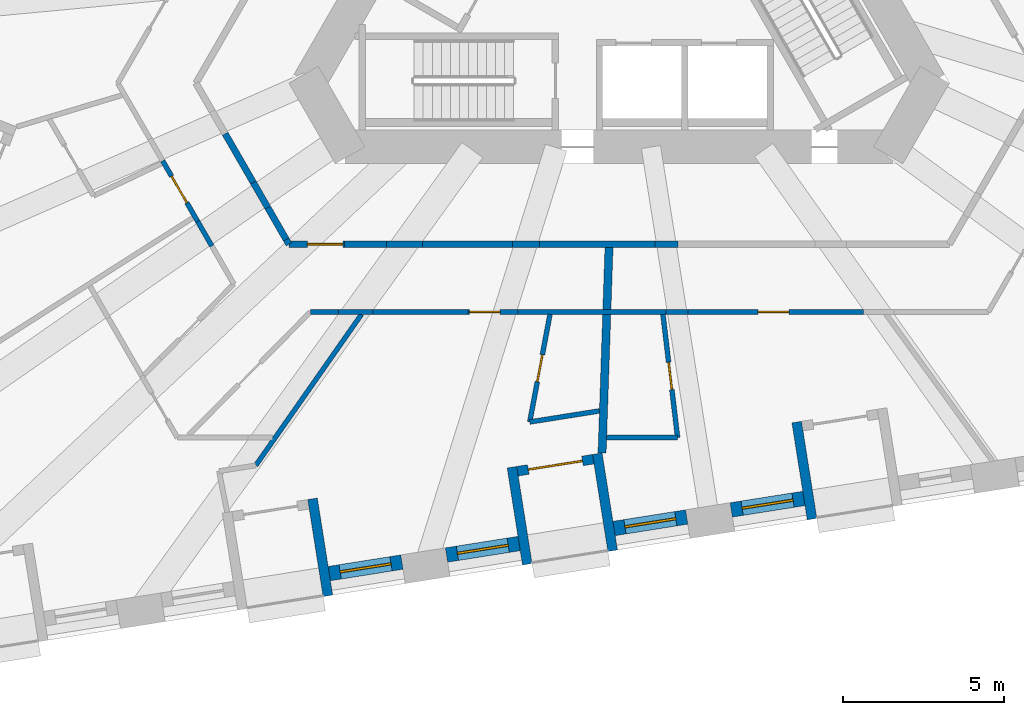
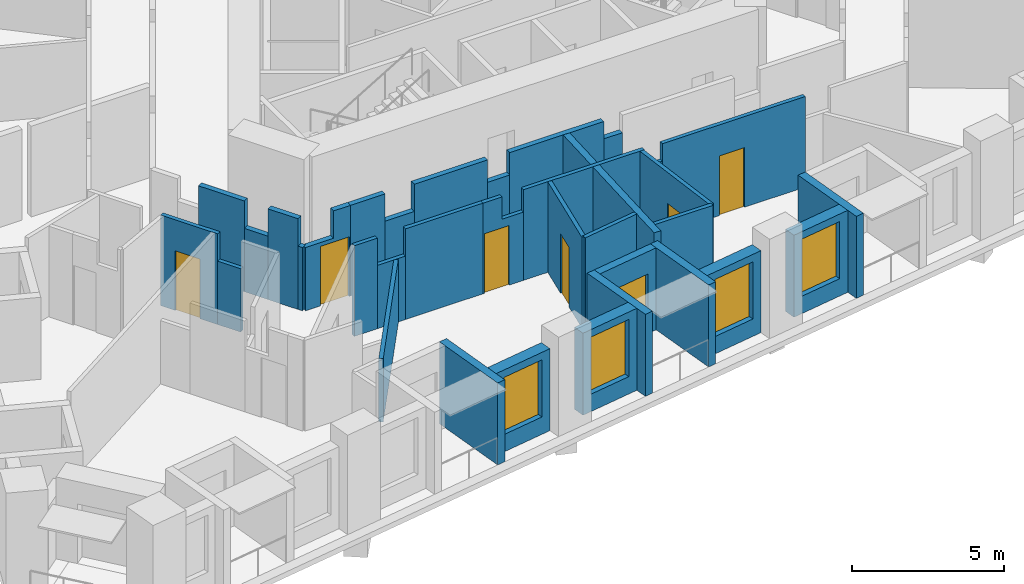
# One storey, part 3 of 14: 35 walls, 7 doors, 4 windows, 11 openings.
"""IFC4 building model written with IfcOpenShell, lengths in metres."""

from ifc_helpers import new_model, si_unit, direction, frame, frame_2d, origin, place, context, subcontext, project, spatial, polyline, rectangle, outline, extrude, material, layer, layer_set, type_object, element, fill, save


model = new_model("IFC4")

# Units and contexts
model_context = context("Model", 3, precision=1e-05, world=origin(), true_north=direction((0.0, 1.0)))
body_context = subcontext(model_context, "Body", "Model", "MODEL_VIEW")
ifc_project = project(units=[si_unit("LENGTHUNIT", "METRE"), si_unit("AREAUNIT", "SQUARE_METRE"), si_unit("VOLUMEUNIT", "CUBIC_METRE"), si_unit("PLANEANGLEUNIT", "RADIAN"), si_unit("MASSUNIT", "GRAM", prefix="KILO")], contexts=[model_context])

# Site, building, storey
site_placement = place(None, origin())
site = spatial("IfcSite", under=ifc_project, at=site_placement, CompositionType="ELEMENT")
building_placement = place(site_placement, origin())
building = spatial("IfcBuilding", under=site, at=building_placement, Name="Tramontana Tower", CompositionType="ELEMENT")
storey_placement = place(building_placement, frame((0.0, 0.0, 67.199951171875)))
storey = spatial("IfcBuildingStorey", under=building, at=storey_placement, Name="L14", CompositionType="ELEMENT", Elevation=67.199951171875)

# Walls
ifc_material_1 = material(Name="Blockwork", Category="masonry")
ifc_layer_1 = layer(ifc_material_1, 0.199951171875)
ifc_layer_set_1 = layer_set([ifc_layer_1], Name="ENTRY WALL 200")
wall_type_1 = type_object("IfcWallType", Name="ENTRY WALL 200", PredefinedType="SOLIDWALL", material=ifc_layer_set_1)
wall_1_placement = place(storey_placement, frame((1.8193359375, -9.25, 0.0), z_axis=(0.0, 0.0, 1.0), x_axis=(-1.0, 0.0, 0.0)))
element("IfcWall", 1, at=wall_1_placement, inside=storey, type_object=wall_type_1, Name="Wall v11-ew2-3", PredefinedType="SOLIDWALL", context=body_context, shape_type="SweptSolid", body=[
    extrude(rectangle(XDim=0.708740234375, YDim=0.199951171875, at=frame_2d((0.3544921875, 0.0))), origin(), (0.0, 0.0, 1.0), 2.949951171875),
])
wall_2_placement = place(storey_placement, frame((1.110595703125, -9.25, 0.0), z_axis=(0.0, 0.0, 1.0), x_axis=(-1.0, 0.0, 0.0)))
element("IfcWall", 2, at=wall_2_placement, inside=storey, type_object=wall_type_1, Name="Wall v11-ew2-4", PredefinedType="SOLIDWALL", context=body_context, shape_type="SweptSolid", body=[
    extrude(rectangle(XDim=3.585205078125, YDim=0.199951171875, at=frame_2d((1.79248046875, 0.0))), origin(), (0.0, 0.0, 1.0), 3.650146484375),
])
wall_3_placement = place(storey_placement, frame((-2.474609375, -9.25, 0.0), z_axis=(0.0, 0.0, 1.0), x_axis=(-1.0, 0.0, 0.0)))
element("IfcWall", 3, at=wall_3_placement, inside=storey, type_object=wall_type_1, Name="Wall v11-ew2-5", PredefinedType="SOLIDWALL", context=body_context, shape_type="SweptSolid", body=[
    extrude(rectangle(XDim=0.838134765625, YDim=0.199951171875, at=frame_2d((0.4189453125, 0.0))), origin(), (0.0, 0.0, 1.0), 2.75),
])
wall_4_placement = place(storey_placement, frame((-3.312744140625, -9.25, 0.0), z_axis=(0.0, 0.0, 1.0), x_axis=(-1.0, 0.0, 0.0)))
element("IfcWall", 4, at=wall_4_placement, inside=storey, type_object=wall_type_1, Name="Wall v11-ew2-6", PredefinedType="SOLIDWALL", context=body_context, shape_type="SweptSolid", body=[
    extrude(rectangle(XDim=2.793701171875, YDim=0.199951171875, at=frame_2d((1.39697265625, 0.0))), origin(), (0.0, 0.0, 1.0), 3.650146484375),
])
wall_5_placement = place(storey_placement, frame((-6.1064453125, -9.25, 0.0), z_axis=(0.0, 0.0, 1.0), x_axis=(-1.0, 0.0, 0.0)))
element("IfcWall", 5, at=wall_5_placement, inside=storey, type_object=wall_type_1, Name="Wall v11-ew2-7", PredefinedType="SOLIDWALL", context=body_context, shape_type="SweptSolid", body=[
    extrude(rectangle(XDim=1.10888671875, YDim=0.199951171875, at=frame_2d((0.554443359375, 0.0))), origin(), (0.0, 0.0, 1.0), 2.550048828125),
])
wall_6_placement = place(storey_placement, frame((-7.21533203125, -9.25, 0.0), z_axis=(0.0, 0.0, 1.0), x_axis=(-1.0, 0.0, 0.0)))
element("IfcWall", 6, at=wall_6_placement, inside=storey, type_object=wall_type_1, Name="Wall v11-ew2-8", PredefinedType="SOLIDWALL", context=body_context, shape_type="SweptSolid", body=[
    extrude(rectangle(XDim=1.3125, YDim=0.199951171875, at=frame_2d((0.65625, 0.0))), origin(), (0.0, 0.0, 1.0), 3.650146484375),
])

# Wall, opening, door
wall_7_placement = place(storey_placement, frame((-10.248046875, -9.25, 0.0), z_axis=(0.0, 0.0, 1.0), x_axis=(1.0, 0.0, 0.0)))
wall_7 = element("IfcWall", 7, at=wall_7_placement, inside=storey, type_object=wall_type_1, Name="Wall v11-ew2-9", PredefinedType="SOLIDWALL", context=body_context, shape_type="SweptSolid", body=[
    extrude(outline(polyline([(0.0, 0.0), (1.72021484375, 0.0), (1.72021484375, 3.650146484375), (1.0703125, 3.650146484375), (1.0703125, 2.550048828125), (0.0, 2.550048828125), (0.0, 0.0)])), frame((0.0, 0.10009765625, 0.0), z_axis=(0.0, -1.0, 0.0), x_axis=(1.0, 0.0, 0.0)), (0.0, 0.0, 1.0), 0.199951171875),
])
opening_1_placement = place(wall_7_placement, frame((0.570068359375, 0.0, 0.0)))
opening_1 = element("IfcOpeningElement", 8, at=opening_1_placement, cuts=wall_7, Name="Opening B1B-30", PredefinedType="OPENING", context=body_context, shape_type="SweptSolid", body=[
    extrude(rectangle(XDim=1.10009765625, YDim=2.39990234375, at=frame_2d((0.550048828125, 1.199951171875))), frame((0.0, 0.10986328125, 0.0), z_axis=(0.0, -1.0, 0.0), x_axis=(1.0, 0.0, 0.0)), (0.0, 0.0, 1.0), 0.219970703125),
])
ifc_material_2 = material(Name="Painted timber", Category="wood")
door_type_1 = type_object("IfcDoorType", Name="DOOR ENTRY 1100", OperationType="SINGLE_SWING_LEFT", PredefinedType="DOOR", material=ifc_material_2)
door_1_placement = place(opening_1_placement, origin())
door_1 = element("IfcDoor", 9, at=door_1_placement, inside=storey, type_object=door_type_1, Name="Door B1B-30", OperationType="SINGLE_SWING_RIGHT", OverallHeight=2.39990234375, OverallWidth=1.10009765625, PredefinedType="DOOR", context=body_context, shape_type="SweptSolid", body=[
    extrude(rectangle(XDim=1.10009765625, YDim=2.39990234375, at=frame_2d((0.550048828125, 1.199951171875))), frame((0.0, 0.02490234375, 0.0), z_axis=(0.0, -1.0, 0.0), x_axis=(1.0, 0.0, 0.0)), (0.0, 0.0, 1.0), 0.050048828125),
])
fill(opening_1, door_1)

# Walls
wall_8_placement = place(storey_placement, frame((-10.248046875, -9.25, 0.0), z_axis=(0.0, 0.0, 1.0), x_axis=(-0.499516518495, 0.866304362075, 0.0)))
element("IfcWall", 10, at=wall_8_placement, inside=storey, type_object=wall_type_1, Name="Wall v11-ew3-0", PredefinedType="SOLIDWALL", context=body_context, shape_type="SweptSolid", body=[
    extrude(rectangle(XDim=0.171142578125, YDim=0.199951171875, at=frame_2d((0.08544921875, 0.0))), origin(), (0.0, 0.0, 1.0), 2.550048828125),
])
wall_9_placement = place(storey_placement, frame((-10.33349609375, -9.101806640625, 0.0), z_axis=(0.0, 0.0, 1.0), x_axis=(-0.500049527193, 0.865996807358, 0.0)))
element("IfcWall", 11, at=wall_9_placement, inside=storey, type_object=wall_type_1, Name="Wall v11-ew3-1", PredefinedType="SOLIDWALL", context=body_context, shape_type="SweptSolid", body=[
    extrude(rectangle(XDim=1.1416015625, YDim=0.199951171875, at=frame_2d((0.57080078125, 0.0))), origin(), (0.0, 0.0, 1.0), 3.650146484375),
])
wall_10_placement = place(storey_placement, frame((-10.904296875, -8.11328125, 0.0), z_axis=(0.0, 0.0, 1.0), x_axis=(-0.499948710669, 0.866055013668, 0.0)))
element("IfcWall", 12, at=wall_10_placement, inside=storey, type_object=wall_type_1, Name="Wall v11-ew3-2", PredefinedType="SOLIDWALL", context=body_context, shape_type="SweptSolid", body=[
    extrude(rectangle(XDim=0.90283203125, YDim=0.199951171875, at=frame_2d((0.451416015625, 0.0))), origin(), (0.0, 0.0, 1.0), 2.550048828125),
])
wall_11_placement = place(storey_placement, frame((-11.355712890625, -7.331298828125, 0.0), z_axis=(0.0, 0.0, 1.0), x_axis=(-0.50000494408, 0.866022549299, 0.0)))
element("IfcWall", 13, at=wall_11_placement, inside=storey, type_object=wall_type_1, Name="Wall v11-ew3-3", PredefinedType="SOLIDWALL", context=body_context, shape_type="SweptSolid", body=[
    extrude(rectangle(XDim=1.74560546875, YDim=0.199951171875, at=frame_2d((0.872802734375, 0.0))), origin(), (0.0, 0.0, 1.0), 3.650146484375),
])

# Wall, opening, window
ifc_material_3 = material(Name="Precast concrete 60 MPa", Category="concrete")
ifc_layer_2 = layer(ifc_material_3, 0.449951171875)
ifc_layer_set_2 = layer_set([ifc_layer_2], Name="Precast concrete 60 MPa, 450 mm")
wall_type_2 = type_object("IfcWallType", Name="EW1 Stone-faced precast wall 450", PredefinedType="SOLIDWALL", material=ifc_layer_set_2)
wall_12_placement = place(storey_placement, frame((-8.99658203125, -19.47216796875, 0.0), z_axis=(0.0, 0.0, 1.0), x_axis=(0.987685675151, 0.156451293065, 0.0)))
wall_12 = element("IfcWall", 14, at=wall_12_placement, inside=storey, type_object=wall_type_2, Name="External wall L14 face 1 bay 2", PredefinedType="SOLIDWALL", context=body_context, shape_type="SweptSolid", body=[
    extrude(rectangle(XDim=2.282958984375, YDim=0.449951171875, at=frame_2d((1.1416015625, 0.0))), origin(), (0.0, 0.0, 1.0), 3.300048828125),
])
opening_2_placement = place(wall_12_placement, frame((0.341552734375, 0.0, 0.699951171875)))
opening_2 = element("IfcOpeningElement", 15, at=opening_2_placement, cuts=wall_12, Name="Opening M1", PredefinedType="OPENING", context=body_context, shape_type="SweptSolid", body=[
    extrude(rectangle(XDim=1.60009765625, YDim=2.300048828125, at=frame_2d((0.800048828125, 1.14990234375))), frame((0.0, 0.23486328125, 0.0), z_axis=(0.0, -1.0, 0.0), x_axis=(1.0, 0.0, 0.0)), (0.0, 0.0, 1.0), 0.469970703125),
])
ifc_material_4 = material(Name="Aluminum frame, double glazing unit", Category="aluminium")
window_type = type_object("IfcWindowType", Name="M1 Window 1.6 x 2.3", PartitioningType="SINGLE_PANEL", PredefinedType="WINDOW", material=ifc_material_4)
window_1_placement = place(opening_2_placement, origin())
window_1 = element("IfcWindow", 16, at=window_1_placement, inside=storey, type_object=window_type, Name="Window M1 L14 face 1 module 6", OverallHeight=2.300048828125, OverallWidth=1.60009765625, PartitioningType="SINGLE_PANEL", PredefinedType="WINDOW", context=body_context, shape_type="SweptSolid", body=[
    extrude(rectangle(XDim=1.60009765625, YDim=2.300048828125, at=frame_2d((0.800048828125, 1.14990234375))), frame((0.0, 0.030029296875, 0.0), z_axis=(0.0, -1.0, 0.0), x_axis=(1.0, 0.0, 0.0)), (0.0, 0.0, 1.0), 0.06005859375),
])
fill(opening_2, window_1)

wall_13_placement = place(storey_placement, frame((-5.35888671875, -18.89599609375, 0.0), z_axis=(0.0, 0.0, 1.0), x_axis=(0.987685675151, 0.156451293065, 0.0)))
wall_13 = element("IfcWall", 17, at=wall_13_placement, inside=storey, type_object=wall_type_2, Name="External wall L14 face 1 bay 3", PredefinedType="SOLIDWALL", context=body_context, shape_type="SweptSolid", body=[
    extrude(rectangle(XDim=2.282958984375, YDim=0.449951171875, at=frame_2d((1.1416015625, 0.0))), origin(), (0.0, 0.0, 1.0), 3.300048828125),
])
opening_3_placement = place(wall_13_placement, frame((0.341552734375, 0.0, 0.699951171875)))
opening_3 = element("IfcOpeningElement", 18, at=opening_3_placement, cuts=wall_13, Name="Opening M1", PredefinedType="OPENING", context=body_context, shape_type="SweptSolid", body=[
    extrude(rectangle(XDim=1.60009765625, YDim=2.300048828125, at=frame_2d((0.800048828125, 1.14990234375))), frame((0.0, 0.23486328125, 0.0), z_axis=(0.0, -1.0, 0.0), x_axis=(1.0, 0.0, 0.0)), (0.0, 0.0, 1.0), 0.469970703125),
])
window_2_placement = place(opening_3_placement, origin())
window_2 = element("IfcWindow", 19, at=window_2_placement, inside=storey, type_object=window_type, Name="Window M1 L14 face 1 module 7", OverallHeight=2.300048828125, OverallWidth=1.60009765625, PartitioningType="SINGLE_PANEL", PredefinedType="WINDOW", context=body_context, shape_type="SweptSolid", body=[
    extrude(rectangle(XDim=1.60009765625, YDim=2.300048828125, at=frame_2d((0.800048828125, 1.14990234375))), frame((0.0, 0.030029296875, 0.0), z_axis=(0.0, -1.0, 0.0), x_axis=(1.0, 0.0, 0.0)), (0.0, 0.0, 1.0), 0.06005859375),
])
fill(opening_3, window_2)

wall_14_placement = place(storey_placement, frame((-0.15771484375, -18.072265625, 0.0), z_axis=(0.0, 0.0, 1.0), x_axis=(0.987685675151, 0.156451293065, 0.0)))
wall_14 = element("IfcWall", 20, at=wall_14_placement, inside=storey, type_object=wall_type_2, Name="External wall L14 face 1 bay 3", PredefinedType="SOLIDWALL", context=body_context, shape_type="SweptSolid", body=[
    extrude(rectangle(XDim=2.282958984375, YDim=0.449951171875, at=frame_2d((1.1416015625, 0.0))), origin(), (0.0, 0.0, 1.0), 3.300048828125),
])
opening_4_placement = place(wall_14_placement, frame((0.341552734375, 0.0, 0.699951171875)))
opening_4 = element("IfcOpeningElement", 21, at=opening_4_placement, cuts=wall_14, Name="Opening M1", PredefinedType="OPENING", context=body_context, shape_type="SweptSolid", body=[
    extrude(rectangle(XDim=1.60009765625, YDim=2.300048828125, at=frame_2d((0.800048828125, 1.14990234375))), frame((0.0, 0.23486328125, 0.0), z_axis=(0.0, -1.0, 0.0), x_axis=(1.0, 0.0, 0.0)), (0.0, 0.0, 1.0), 0.469970703125),
])
window_3_placement = place(opening_4_placement, origin())
window_3 = element("IfcWindow", 22, at=window_3_placement, inside=storey, type_object=window_type, Name="Window M1 L14 face 1 module 9", OverallHeight=2.300048828125, OverallWidth=1.60009765625, PartitioningType="SINGLE_PANEL", PredefinedType="WINDOW", context=body_context, shape_type="SweptSolid", body=[
    extrude(rectangle(XDim=1.60009765625, YDim=2.300048828125, at=frame_2d((0.800048828125, 1.14990234375))), frame((0.0, 0.030029296875, 0.0), z_axis=(0.0, -1.0, 0.0), x_axis=(1.0, 0.0, 0.0)), (0.0, 0.0, 1.0), 0.06005859375),
])
fill(opening_4, window_3)

wall_15_placement = place(storey_placement, frame((3.479736328125, -17.49609375, 0.0), z_axis=(0.0, 0.0, 1.0), x_axis=(0.987685675151, 0.156451293065, 0.0)))
wall_15 = element("IfcWall", 23, at=wall_15_placement, inside=storey, type_object=wall_type_2, Name="External wall L14 face 1 bay 4", PredefinedType="SOLIDWALL", context=body_context, shape_type="SweptSolid", body=[
    extrude(rectangle(XDim=2.282958984375, YDim=0.449951171875, at=frame_2d((1.1416015625, 0.0))), origin(), (0.0, 0.0, 1.0), 3.300048828125),
])
opening_5_placement = place(wall_15_placement, frame((0.341552734375, 0.0, 0.699951171875)))
opening_5 = element("IfcOpeningElement", 24, at=opening_5_placement, cuts=wall_15, Name="Opening M1", PredefinedType="OPENING", context=body_context, shape_type="SweptSolid", body=[
    extrude(rectangle(XDim=1.60009765625, YDim=2.300048828125, at=frame_2d((0.800048828125, 1.14990234375))), frame((0.0, 0.23486328125, 0.0), z_axis=(0.0, -1.0, 0.0), x_axis=(1.0, 0.0, 0.0)), (0.0, 0.0, 1.0), 0.469970703125),
])
window_4_placement = place(opening_5_placement, origin())
window_4 = element("IfcWindow", 25, at=window_4_placement, inside=storey, type_object=window_type, Name="Window M1 L14 face 1 module 10", OverallHeight=2.300048828125, OverallWidth=1.60009765625, PartitioningType="SINGLE_PANEL", PredefinedType="WINDOW", context=body_context, shape_type="SweptSolid", body=[
    extrude(rectangle(XDim=1.60009765625, YDim=2.300048828125, at=frame_2d((0.800048828125, 1.14990234375))), frame((0.0, 0.030029296875, 0.0), z_axis=(0.0, -1.0, 0.0), x_axis=(1.0, 0.0, 0.0)), (0.0, 0.0, 1.0), 0.06005859375),
])
fill(opening_5, window_4)

# Wall
ifc_material_5 = material(Name="Precast concrete 60 MPa", Category="concrete")
ifc_layer_3 = layer(ifc_material_5, 0.300048828125)
ifc_layer_set_3 = layer_set([ifc_layer_3], Name="LW1 Stone-faced loggia wall 300")
wall_type_3 = type_object("IfcWallType", Name="LW1 Stone-faced loggia wall 300", PredefinedType="SOLIDWALL", material=ifc_layer_set_3)
wall_16_placement = place(storey_placement, frame((-9.0390625, -20.162353515625, 0.0), z_axis=(0.0, 0.0, 1.0), x_axis=(-0.156488687365, 0.987679751097, 0.0)))
element("IfcWall", 26, at=wall_16_placement, inside=storey, type_object=wall_type_3, Name="Loggia return L14 G1S1.4b", PredefinedType="SOLIDWALL", context=body_context, shape_type="SweptSolid", body=[
    extrude(rectangle(XDim=3.050048828125, YDim=0.300048828125, at=frame_2d((1.52490234375, 0.0))), origin(), (0.0, 0.0, 1.0), 3.300048828125),
])

# Wall, opening, door
wall_17_placement = place(storey_placement, frame((-3.15576171875, -16.294189453125, 0.0), z_axis=(0.0, 0.0, 1.0), x_axis=(0.987685586014, 0.156451855793, 0.0)))
wall_17 = element("IfcWall", 27, at=wall_17_placement, inside=storey, type_object=wall_type_3, Name="Loggia wall L14 G1S1.7", PredefinedType="SOLIDWALL", context=body_context, shape_type="SweptSolid", body=[
    extrude(rectangle(XDim=2.3828125, YDim=0.300048828125, at=frame_2d((1.19140625, 0.0))), origin(), (0.0, 0.0, 1.0), 3.300048828125),
])
opening_6_placement = place(wall_17_placement, frame((0.341552734375, 0.0, 0.0)))
opening_6 = element("IfcOpeningElement", 28, at=opening_6_placement, cuts=wall_17, Name="Opening BD-1S1-07", PredefinedType="OPENING", context=body_context, shape_type="SweptSolid", body=[
    extrude(rectangle(XDim=1.699951171875, YDim=2.39990234375, at=frame_2d((0.85009765625, 1.199951171875))), frame((0.0, 0.159912109375, 0.0), z_axis=(0.0, -1.0, 0.0), x_axis=(1.0, 0.0, 0.0)), (0.0, 0.0, 1.0), 0.320068359375),
])
ifc_material_6 = material(Name="Aluminum frame, double glazing unit", Category="aluminium")
door_type_2 = type_object("IfcDoorType", Name="BD1 Sliding door 1.7 x 2.4", OperationType="SLIDING_TO_LEFT", PredefinedType="DOOR", material=ifc_material_6)
door_2_placement = place(opening_6_placement, origin())
door_2 = element("IfcDoor", 29, at=door_2_placement, inside=storey, type_object=door_type_2, Name="Loggia door L14 G1S1.7", OperationType="SLIDING_TO_LEFT", OverallHeight=2.39990234375, OverallWidth=1.699951171875, PredefinedType="DOOR", context=body_context, shape_type="SweptSolid", body=[
    extrude(rectangle(XDim=1.699951171875, YDim=2.39990234375, at=frame_2d((0.85009765625, 1.199951171875))), frame((0.0, 0.02490234375, 0.0), z_axis=(0.0, -1.0, 0.0), x_axis=(1.0, 0.0, 0.0)), (0.0, 0.0, 1.0), 0.050048828125),
])
fill(opening_6, door_2)

# Walls
for number, where, z_axis, x_axis, name in (
    (30, (-2.850341796875, -19.18212890625, 0.0), (0.0, 0.0, 1.0), (-0.156410600741, 0.987692120033, 0.0), "Loggia return L14 G1S1.7a"),
    (31, (-0.200439453125, -18.762451171875, 0.0), (0.0, 0.0, 1.0), (-0.156410600741, 0.987692120033, 0.0), "Loggia return L14 G1S1.7b"),
    (32, (5.988525390625, -17.7822265625, 0.0), (0.0, 0.0, 1.0), (-0.156488687365, 0.987679751097, 0.0), "Loggia return L14 G1S1.10a"),
):
    element("IfcWall", number, at=place(storey_placement, frame(where, z_axis=z_axis, x_axis=x_axis)), inside=storey, type_object=wall_type_3, Name=name, PredefinedType="SOLIDWALL", context=body_context, shape_type="SweptSolid", body=[
        extrude(rectangle(XDim=3.050048828125, YDim=0.300048828125, at=frame_2d((1.52490234375, 0.0))), origin(), (0.0, 0.0, 1.0), 3.300048828125),
    ])
ifc_material_7 = material(Name="Gypsum board partition")
ifc_layer_4 = layer(ifc_material_7, 0.14990234375)
ifc_layer_set_4 = layer_set([ifc_layer_4], Name="PARTITION 150")
wall_type_4 = type_object("IfcWallType", Name="PARTITION 150", PredefinedType="PARTITIONING", material=ifc_layer_set_4)
wall_18_placement = place(storey_placement, frame((-12.641845703125, -9.3037109375, 0.0), z_axis=(0.0, 0.0, 1.0), x_axis=(-0.500027377864, 0.86600959659, 0.0)))
element("IfcWall", 33, at=wall_18_placement, inside=storey, type_object=wall_type_4, Name="Wall v11-pw11-1", PredefinedType="PARTITIONING", context=body_context, shape_type="SweptSolid", body=[
    extrude(rectangle(XDim=0.8779296875, YDim=0.14990234375, at=frame_2d((0.43896484375, 0.0))), origin(), (0.0, 0.0, 1.0), 2.550048828125),
])

# Wall, opening, door
wall_19_placement = place(storey_placement, frame((-13.080810546875, -8.54345703125, 0.0), z_axis=(0.0, 0.0, 1.0), x_axis=(-0.499978335414, 0.866037911478, 0.0)))
wall_19 = element("IfcWall", 34, at=wall_19_placement, inside=storey, type_object=wall_type_4, Name="Wall v11-pw11-2", PredefinedType="PARTITIONING", context=body_context, shape_type="SweptSolid", body=[
    extrude(rectangle(XDim=2.1748046875, YDim=0.14990234375, at=frame_2d((1.08740234375, 0.0))), origin(), (0.0, 0.0, 1.0), 3.650146484375),
])
opening_7_placement = place(wall_19_placement, frame((0.671142578125, 0.0, 0.0)))
opening_7 = element("IfcOpeningElement", 35, at=opening_7_placement, cuts=wall_19, Name="Opening B1B-15", PredefinedType="OPENING", context=body_context, shape_type="SweptSolid", body=[
    extrude(rectangle(XDim=0.949951171875, YDim=2.39990234375, at=frame_2d((0.47509765625, 1.199951171875))), frame((0.0, 0.0849609375, 0.0), z_axis=(0.0, -1.0, 0.0), x_axis=(1.0, 0.0, 0.0)), (0.0, 0.0, 1.0), 0.169921875),
])
ifc_material_8 = material(Name="Painted timber", Category="wood")
door_type_3 = type_object("IfcDoorType", Name="DOOR ROOM 950", OperationType="SINGLE_SWING_LEFT", PredefinedType="DOOR", material=ifc_material_8)
door_3_placement = place(opening_7_placement, origin())
door_3 = element("IfcDoor", 36, at=door_3_placement, inside=storey, type_object=door_type_3, Name="Door B1B-15", OperationType="SINGLE_SWING_LEFT", OverallHeight=2.39990234375, OverallWidth=0.949951171875, PredefinedType="DOOR", context=body_context, shape_type="SweptSolid", body=[
    extrude(rectangle(XDim=0.949951171875, YDim=2.39990234375, at=frame_2d((0.47509765625, 1.199951171875))), frame((0.0, 0.02490234375, 0.0), z_axis=(0.0, -1.0, 0.0), x_axis=(1.0, 0.0, 0.0)), (0.0, 0.0, 1.0), 0.050048828125),
])
fill(opening_7, door_3)

# Wall
wall_20_placement = place(storey_placement, frame((-7.9970703125, -11.425048828125, 0.0), z_axis=(0.0, 0.0, 1.0), x_axis=(-0.573453752882, -0.819237934489, 0.0)))
element("IfcWall", 37, at=wall_20_placement, inside=storey, type_object=wall_type_4, Name="Wall v11-pw23-0", PredefinedType="PARTITIONING", context=body_context, shape_type="SweptSolid", body=[
    extrude(rectangle(XDim=5.721435546875, YDim=0.14990234375, at=frame_2d((2.86083984375, 0.0))), origin(), (0.0, 0.0, 1.0), 2.550048828125),
])

# Wall, opening, door
wall_21_placement = place(storey_placement, frame((-2.146728515625, -11.425048828125, 0.0), z_axis=(0.0, 0.0, 1.0), x_axis=(-0.184665813639, -0.982801372238, 0.0)))
wall_21 = element("IfcWall", 38, at=wall_21_placement, inside=storey, type_object=wall_type_4, Name="Wall v11-pw29", PredefinedType="PARTITIONING", context=body_context, shape_type="SweptSolid", body=[
    extrude(rectangle(XDim=3.39892578125, YDim=0.14990234375, at=frame_2d((1.699462890625, 0.0))), origin(), (0.0, 0.0, 1.0), 3.650146484375),
])
opening_8_placement = place(wall_21_placement, frame((1.2744140625, 0.0, 0.0)))
opening_8 = element("IfcOpeningElement", 39, at=opening_8_placement, cuts=wall_21, Name="Opening B1B-19", PredefinedType="OPENING", context=body_context, shape_type="SweptSolid", body=[
    extrude(rectangle(XDim=0.85009765625, YDim=2.39990234375, at=frame_2d((0.425048828125, 1.199951171875))), frame((0.0, 0.0849609375, 0.0), z_axis=(0.0, -1.0, 0.0), x_axis=(1.0, 0.0, 0.0)), (0.0, 0.0, 1.0), 0.169921875),
])
ifc_material_9 = material(Name="Painted timber", Category="wood")
door_type_4 = type_object("IfcDoorType", Name="DOOR BATH 850", OperationType="SINGLE_SWING_LEFT", PredefinedType="DOOR", material=ifc_material_9)
door_4_placement = place(opening_8_placement, origin())
door_4 = element("IfcDoor", 40, at=door_4_placement, inside=storey, type_object=door_type_4, Name="Door B1B-19", OperationType="SINGLE_SWING_LEFT", OverallHeight=2.39990234375, OverallWidth=0.85009765625, PredefinedType="DOOR", context=body_context, shape_type="SweptSolid", body=[
    extrude(rectangle(XDim=0.85009765625, YDim=2.39990234375, at=frame_2d((0.425048828125, 1.199951171875))), frame((0.0, 0.02490234375, 0.0), z_axis=(0.0, -1.0, 0.0), x_axis=(1.0, 0.0, 0.0)), (0.0, 0.0, 1.0), 0.050048828125),
])
fill(opening_8, door_4)

# Wall
wall_22_placement = place(storey_placement, frame((-0.610595703125, -14.4228515625, 0.0), z_axis=(0.0, 0.0, 1.0), x_axis=(-0.987684230158, -0.156460415112, 0.0)))
element("IfcWall", 41, at=wall_22_placement, inside=storey, type_object=wall_type_4, Name="Wall v11-pw30", PredefinedType="PARTITIONING", context=body_context, shape_type="SweptSolid", body=[
    extrude(rectangle(XDim=2.19091796875, YDim=0.14990234375, at=frame_2d((1.095458984375, 0.0))), origin(), (0.0, 0.0, 1.0), 3.650146484375),
])

# Wall, opening, door
wall_23_placement = place(storey_placement, frame((1.814697265625, -15.25, 0.0), z_axis=(0.0, 0.0, 1.0), x_axis=(-0.118142953824, 0.992996597407, 0.0)))
wall_23 = element("IfcWall", 42, at=wall_23_placement, inside=storey, type_object=wall_type_4, Name="Wall v11-pw33", PredefinedType="PARTITIONING", context=body_context, shape_type="SweptSolid", body=[
    extrude(rectangle(XDim=3.851806640625, YDim=0.14990234375, at=frame_2d((1.92578125, 0.0))), origin(), (0.0, 0.0, 1.0), 3.650146484375),
])
opening_9_placement = place(wall_23_placement, frame((1.5009765625, 0.0, 0.0)))
opening_9 = element("IfcOpeningElement", 43, at=opening_9_placement, cuts=wall_23, Name="Opening B1B-27", PredefinedType="OPENING", context=body_context, shape_type="SweptSolid", body=[
    extrude(rectangle(XDim=0.85009765625, YDim=2.39990234375, at=frame_2d((0.425048828125, 1.199951171875))), frame((0.0, 0.0849609375, 0.0), z_axis=(0.0, -1.0, 0.0), x_axis=(1.0, 0.0, 0.0)), (0.0, 0.0, 1.0), 0.169921875),
])
door_5_placement = place(opening_9_placement, origin())
door_5 = element("IfcDoor", 44, at=door_5_placement, inside=storey, type_object=door_type_4, Name="Door B1B-27", OperationType="SINGLE_SWING_LEFT", OverallHeight=2.39990234375, OverallWidth=0.85009765625, PredefinedType="DOOR", context=body_context, shape_type="SweptSolid", body=[
    extrude(rectangle(XDim=0.85009765625, YDim=2.39990234375, at=frame_2d((0.425048828125, 1.199951171875))), frame((0.0, 0.02490234375, 0.0), z_axis=(0.0, -1.0, 0.0), x_axis=(1.0, 0.0, 0.0)), (0.0, 0.0, 1.0), 0.050048828125),
])
fill(opening_9, door_5)

# Wall
wall_24_placement = place(storey_placement, frame((1.814697265625, -15.25, 0.0), z_axis=(0.0, 0.0, 1.0), x_axis=(-1.0, 0.0, 0.0)))
element("IfcWall", 45, at=wall_24_placement, inside=storey, type_object=wall_type_4, Name="Wall v11-pw34", PredefinedType="PARTITIONING", context=body_context, shape_type="SweptSolid", body=[
    extrude(rectangle(XDim=2.202880859375, YDim=0.14990234375, at=frame_2d((1.1015625, 0.0))), origin(), (0.0, 0.0, 1.0), 3.650146484375),
])

# Wall, opening, door
wall_25_placement = place(storey_placement, frame((7.582275390625, -11.35009765625, 0.0), z_axis=(0.0, 0.0, 1.0), x_axis=(-1.0, 0.0, 0.0)))
wall_25 = element("IfcWall", 46, at=wall_25_placement, inside=storey, type_object=wall_type_4, Name="Wall v11-pw43-2", PredefinedType="PARTITIONING", context=body_context, shape_type="SweptSolid", body=[
    extrude(rectangle(XDim=5.44287109375, YDim=0.14990234375, at=frame_2d((2.721435546875, 0.0))), origin(), (0.0, 0.0, 1.0), 3.650146484375),
])
opening_10_placement = place(wall_25_placement, frame((2.31591796875, 0.0, 0.0)))
opening_10 = element("IfcOpeningElement", 47, at=opening_10_placement, cuts=wall_25, Name="Opening B1B-24", PredefinedType="OPENING", context=body_context, shape_type="SweptSolid", body=[
    extrude(rectangle(XDim=0.949951171875, YDim=2.39990234375, at=frame_2d((0.47509765625, 1.199951171875))), frame((0.0, 0.0849609375, 0.0), z_axis=(0.0, -1.0, 0.0), x_axis=(1.0, 0.0, 0.0)), (0.0, 0.0, 1.0), 0.169921875),
])
door_6_placement = place(opening_10_placement, origin())
door_6 = element("IfcDoor", 48, at=door_6_placement, inside=storey, type_object=door_type_3, Name="Door B1B-24", OperationType="SINGLE_SWING_RIGHT", OverallHeight=2.39990234375, OverallWidth=0.949951171875, PredefinedType="DOOR", context=body_context, shape_type="SweptSolid", body=[
    extrude(rectangle(XDim=0.949951171875, YDim=2.39990234375, at=frame_2d((0.47509765625, 1.199951171875))), frame((0.0, 0.02490234375, 0.0), z_axis=(0.0, -1.0, 0.0), x_axis=(1.0, 0.0, 0.0)), (0.0, 0.0, 1.0), 0.050048828125),
])
fill(opening_10, door_6)

# Walls
wall_26_placement = place(storey_placement, frame((2.139404296875, -11.35009765625, 0.0), z_axis=(0.0, 0.0, 1.0), x_axis=(-1.0, 0.0, 0.0)))
element("IfcWall", 49, at=wall_26_placement, inside=storey, type_object=wall_type_4, Name="Wall v11-pw43-3", PredefinedType="PARTITIONING", context=body_context, shape_type="SweptSolid", body=[
    extrude(rectangle(XDim=0.683349609375, YDim=0.14990234375, at=frame_2d((0.341796875, 0.0))), origin(), (0.0, 0.0, 1.0), 2.949951171875),
])
wall_27_placement = place(storey_placement, frame((1.4560546875, -11.35009765625, 0.0), z_axis=(0.0, 0.0, 1.0), x_axis=(-1.0, 0.0, 0.0)))
element("IfcWall", 50, at=wall_27_placement, inside=storey, type_object=wall_type_4, Name="Wall v11-pw43-4", PredefinedType="PARTITIONING", context=body_context, shape_type="SweptSolid", body=[
    extrude(rectangle(XDim=4.600830078125, YDim=0.14990234375, at=frame_2d((2.30029296875, 0.0))), origin(), (0.0, 0.0, 1.0), 3.650146484375),
])

# Wall, opening, door
wall_28_placement = place(storey_placement, frame((-3.144775390625, -11.35009765625, 0.0), z_axis=(0.0, 0.0, 1.0), x_axis=(-1.0, 0.0, 0.0)))
wall_28 = element("IfcWall", 51, at=wall_28_placement, inside=storey, type_object=wall_type_4, Name="Wall v11-pw43-5", PredefinedType="PARTITIONING", context=body_context, shape_type="SweptSolid", body=[
    extrude(outline(polyline([(0.0, 0.0), (1.545166015625, 0.0), (1.54541015625, 3.650146484375), (0.81201171875, 3.650146484375), (0.81201171875, 2.75), (0.0, 2.75), (0.0, 0.0)])), frame((0.0, 0.074951171875, 0.0), z_axis=(0.0, -1.0, 0.0), x_axis=(1.0, 0.0, 0.0)), (0.0, 0.0, 1.0), 0.14990234375),
])
opening_11_placement = place(wall_28_placement, frame((0.54541015625, 0.0, 0.0)))
opening_11 = element("IfcOpeningElement", 52, at=opening_11_placement, cuts=wall_28, Name="Opening B1B-17", PredefinedType="OPENING", context=body_context, shape_type="SweptSolid", body=[
    extrude(rectangle(XDim=0.949951171875, YDim=2.39990234375, at=frame_2d((0.47509765625, 1.199951171875))), frame((0.0, 0.0849609375, 0.0), z_axis=(0.0, -1.0, 0.0), x_axis=(1.0, 0.0, 0.0)), (0.0, 0.0, 1.0), 0.169921875),
])
door_7_placement = place(opening_11_placement, origin())
door_7 = element("IfcDoor", 53, at=door_7_placement, inside=storey, type_object=door_type_3, Name="Door B1B-17", OperationType="SINGLE_SWING_LEFT", OverallHeight=2.39990234375, OverallWidth=0.949951171875, PredefinedType="DOOR", context=body_context, shape_type="SweptSolid", body=[
    extrude(rectangle(XDim=0.949951171875, YDim=2.39990234375, at=frame_2d((0.47509765625, 1.199951171875))), frame((0.0, 0.02490234375, 0.0), z_axis=(0.0, -1.0, 0.0), x_axis=(1.0, 0.0, 0.0)), (0.0, 0.0, 1.0), 0.050048828125),
])
fill(opening_11, door_7)

# Walls
wall_29_placement = place(storey_placement, frame((-4.68994140625, -11.35009765625, 0.0), z_axis=(0.0, 0.0, 1.0), x_axis=(-1.0, 0.0, 0.0)))
element("IfcWall", 54, at=wall_29_placement, inside=storey, type_object=wall_type_4, Name="Wall v11-pw43-6", PredefinedType="PARTITIONING", context=body_context, shape_type="SweptSolid", body=[
    extrude(rectangle(XDim=2.944091796875, YDim=0.14990234375, at=frame_2d((1.47216796875, 0.0))), origin(), (0.0, 0.0, 1.0), 3.650146484375),
])
wall_30_placement = place(storey_placement, frame((-7.634033203125, -11.35009765625, 0.0), z_axis=(0.0, 0.0, 1.0), x_axis=(-1.0, 0.0, 0.0)))
element("IfcWall", 55, at=wall_30_placement, inside=storey, type_object=wall_type_4, Name="Wall v11-pw43-7", PredefinedType="PARTITIONING", context=body_context, shape_type="SweptSolid", body=[
    extrude(rectangle(XDim=1.078125, YDim=0.14990234375, at=frame_2d((0.5390625, 0.0))), origin(), (0.0, 0.0, 1.0), 2.550048828125),
])
wall_31_placement = place(storey_placement, frame((-8.712158203125, -11.35009765625, 0.0), z_axis=(0.0, 0.0, 1.0), x_axis=(-1.0, 0.0, 0.0)))
element("IfcWall", 56, at=wall_31_placement, inside=storey, type_object=wall_type_4, Name="Wall v11-pw43-8", PredefinedType="PARTITIONING", context=body_context, shape_type="SweptSolid", body=[
    extrude(rectangle(XDim=0.872314453125, YDim=0.14990234375, at=frame_2d((0.43603515625, 0.0))), origin(), (0.0, 0.0, 1.0), 3.650146484375),
])
ifc_material_10 = material(Name="Blockwork", Category="masonry")
ifc_layer_5 = layer(ifc_material_10, 0.25)
ifc_layer_set_5 = layer_set([ifc_layer_5], Name="PARTY WALL 250")
wall_type_5 = type_object("IfcWallType", Name="PARTY WALL 250", PredefinedType="SOLIDWALL", material=ifc_layer_set_5)
wall_32_placement = place(storey_placement, frame((-0.314697265625, -9.35009765625, 0.0), z_axis=(0.0, 0.0, 1.0), x_axis=(-0.033637193485, -0.999434109491, 0.0)))
element("IfcWall", 57, at=wall_32_placement, inside=storey, type_object=wall_type_5, Name="Wall v11-pw31", PredefinedType="SOLIDWALL", context=body_context, shape_type="SweptSolid", body=[
    extrude(rectangle(XDim=6.3798828125, YDim=0.25, at=frame_2d((3.18994140625, 0.0))), origin(), (0.0, 0.0, 1.0), 3.650146484375),
])

save(model, "model.ifc")
